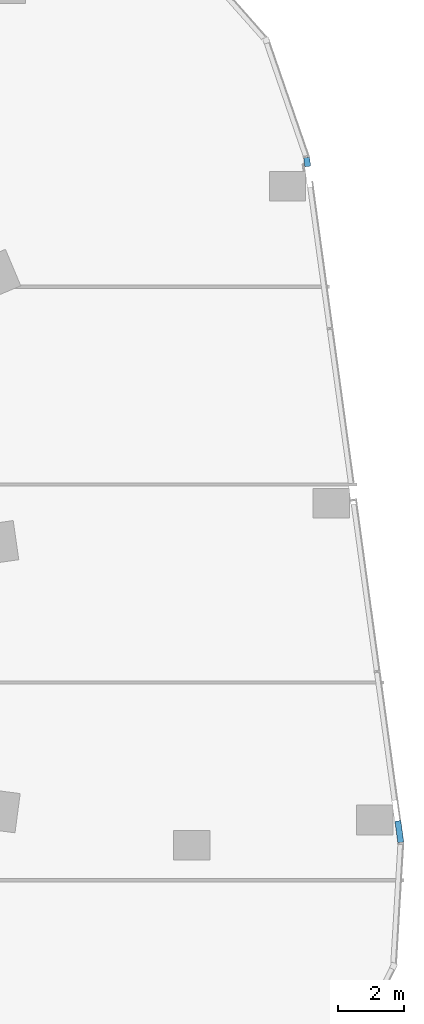
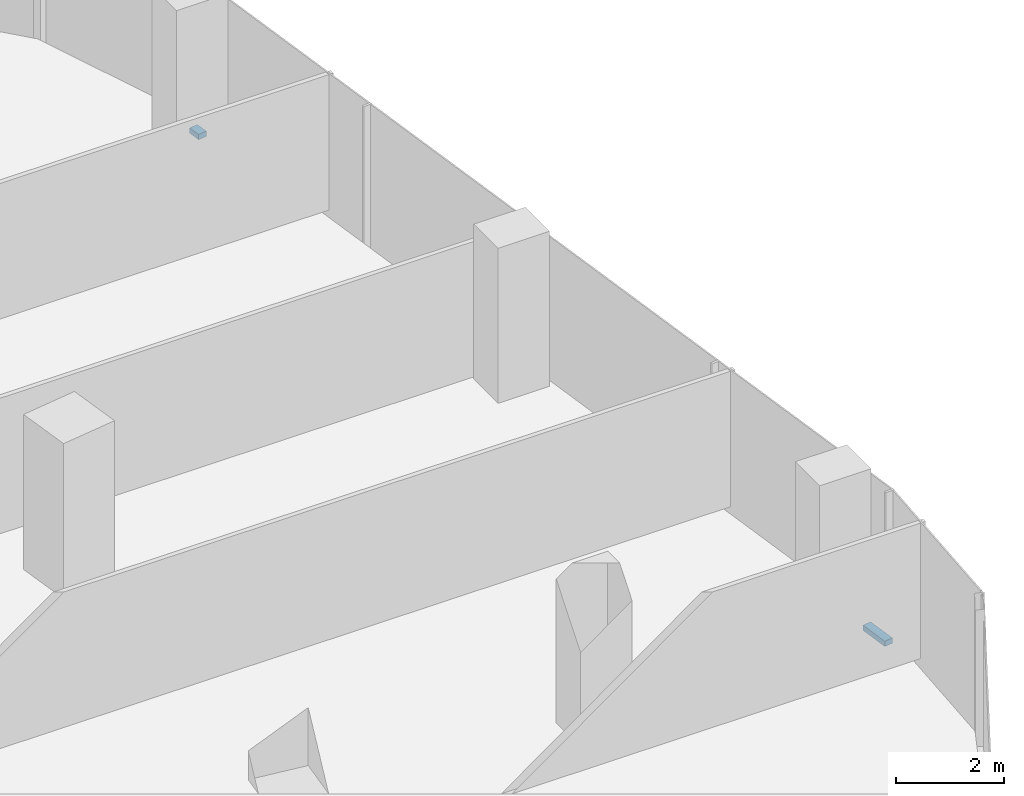
# One storey, part 12 of 27: 2 members, 1 element without a shape of its own.
"""IFC4 building model written with IfcOpenShell, lengths in metres."""

from ifc_helpers import new_model, si_unit, direction, frame, origin, origin_2d, place, context, subcontext, project, spatial, rectangle, extrude, material, material_profile, profile_set, type_object, element, aggregate, save


model = new_model("IFC4")

# Units and contexts
model_context = context("Model", 3, precision=1e-05, world=origin(), true_north=direction((0.0, 1.0)))
body_context = subcontext(model_context, "Body", "Model", "MODEL_VIEW")
ifc_project = project(units=[si_unit("LENGTHUNIT", "METRE"), si_unit("AREAUNIT", "SQUARE_METRE"), si_unit("VOLUMEUNIT", "CUBIC_METRE"), si_unit("PLANEANGLEUNIT", "RADIAN"), si_unit("MASSUNIT", "GRAM", prefix="KILO")], contexts=[model_context])

# Site, building, storey
site_placement = place(None, origin())
site = spatial("IfcSite", under=ifc_project, at=site_placement, CompositionType="ELEMENT")
building_placement = place(site_placement, origin())
building = spatial("IfcBuilding", under=site, at=building_placement, Name="Orlundy Tower", CompositionType="ELEMENT")
storey_placement = place(building_placement, frame((0.0, 0.0, 195.60009765625)))
storey = spatial("IfcBuildingStorey", under=building, at=storey_placement, Name="L51", CompositionType="ELEMENT", Elevation=195.60009765625)

# Curtain wall, members
ifc_material_1 = material(Name="Aluminium bronze anodised", Category="aluminium")
curtain_wall_type = type_object("IfcCurtainWallType", Name="CW1 wall", PredefinedType="NOTDEFINED", material=ifc_material_1)
curtain_wall_placement = place(storey_placement, origin())
curtain_wall = element("IfcCurtainWall", 1, at=curtain_wall_placement, inside=storey, type_object=curtain_wall_type, Name="CW1 run 011", PredefinedType="NOTDEFINED")
ifc_material_2 = material(Name="Aluminium bronze anodised", Category="aluminium")
ifc_material_profile = material_profile(ifc_material_2, rectangle(XDim=0.179931640625, YDim=0.1201171875, at=origin_2d()), Name="CW1 transom 180x120")
ifc_profile_set = profile_set([ifc_material_profile], Name="Aluminium bronze anodised")
member_type = type_object("IfcMemberType", Name="CW1 transom 180x120", PredefinedType="USERDEFINED", material=ifc_profile_set)
member_1_placement = place(storey_placement, frame((38.782470703125, 15.918212890625, -0.360107421875), z_axis=(0.136031690974, -0.990704486237, 0.0), x_axis=(0.990704486237, 0.136031690974, 0.0)))
member_1 = element("IfcMember", 2, at=member_1_placement, type_object=member_type, Name="CW1 transom", ObjectType="TRANSOM", PredefinedType="USERDEFINED", context=body_context, shape_type="SweptSolid", body=[
    extrude(rectangle(XDim=0.179931640625, YDim=0.1201171875, at=origin_2d()), origin(), (0.0, 0.0, 1.0), 0.272705078125),
])
member_2_placement = place(storey_placement, frame((41.550048828125, -4.19970703125, -0.360107421875), z_axis=(0.136136648768, -0.990690069024, 0.0), x_axis=(0.990690069024, 0.136136648768, 0.0)))
member_2 = element("IfcMember", 3, at=member_2_placement, type_object=member_type, Name="CW1 transom", ObjectType="TRANSOM", PredefinedType="USERDEFINED", context=body_context, shape_type="SweptSolid", body=[
    extrude(rectangle(XDim=0.179931640625, YDim=0.1201171875, at=origin_2d()), origin(), (0.0, 0.0, 1.0), 0.659912109375),
])
aggregate(curtain_wall, [member_1, member_2])

save(model, "model.ifc")
